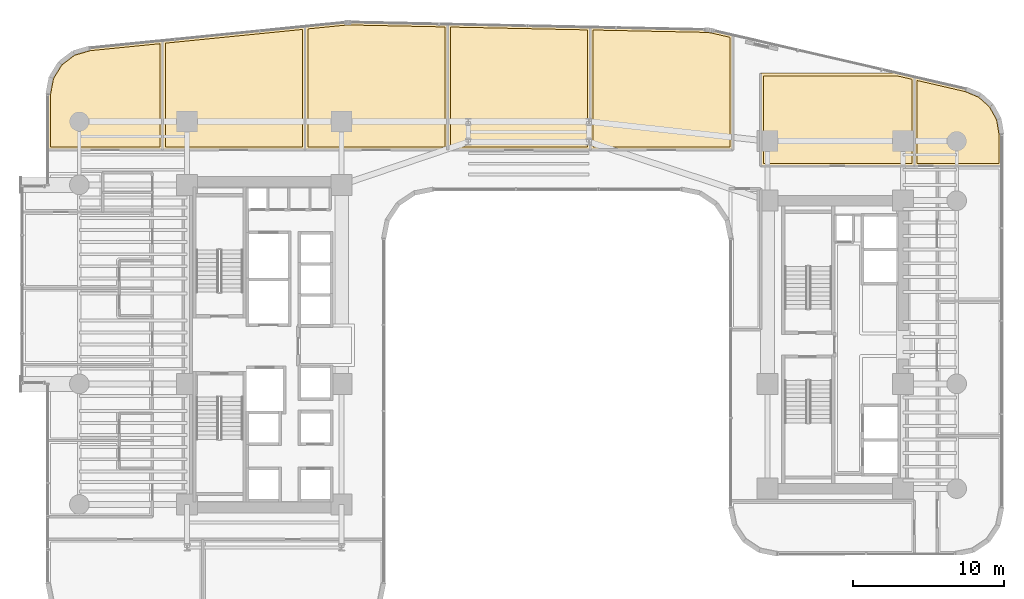
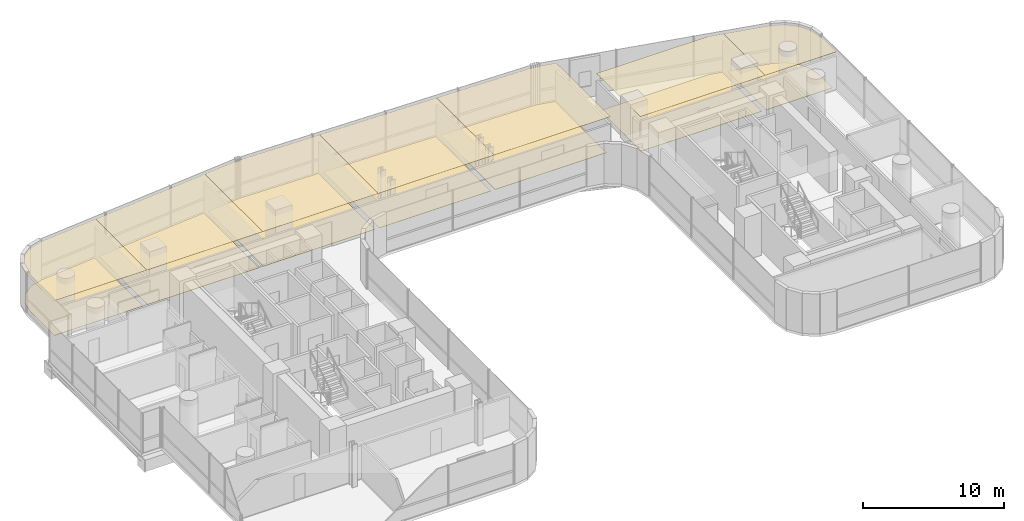
# One storey, part 39 of 39: 14 coverings.
"""IFC4 building model written with IfcOpenShell, lengths in metres."""

from ifc_helpers import new_model, si_unit, direction, frame, origin, place, context, subcontext, project, spatial, polyline, outline, extrude, material, layer, layer_set, type_object, element, save


model = new_model("IFC4")

# Units and contexts
model_context = context("Model", 3, precision=1e-05, world=origin(), true_north=direction((0.0, 1.0)))
body_context = subcontext(model_context, "Body", "Model", "MODEL_VIEW")
ifc_project = project(units=[si_unit("LENGTHUNIT", "METRE"), si_unit("AREAUNIT", "SQUARE_METRE"), si_unit("VOLUMEUNIT", "CUBIC_METRE"), si_unit("PLANEANGLEUNIT", "RADIAN"), si_unit("MASSUNIT", "GRAM", prefix="KILO")], contexts=[model_context])

# Site, building, storey
site_placement = place(None, origin())
site = spatial("IfcSite", under=ifc_project, at=site_placement, CompositionType="ELEMENT")
building_placement = place(site_placement, origin())
building = spatial("IfcBuilding", under=site, at=building_placement, Name="Valdorenza Pilgrim Sanctuary Tower", CompositionType="ELEMENT")
storey_placement = place(building_placement, frame((0.0, 0.0, 77.800048828125)))
storey = spatial("IfcBuildingStorey", under=building, at=storey_placement, Name="L19", CompositionType="ELEMENT", Elevation=77.800048828125)

# Coverings
ifc_material_1 = material(Name="Micro-perforated acoustic mineral ceiling tile", Category="gypsum")
ifc_layer_1 = layer(ifc_material_1, 0.02490234375, Name="Micro-perforated acoustic mineral ceiling tile")
ifc_layer_set_1 = layer_set([ifc_layer_1], Name="Micro-perforated acoustic mineral ceiling tile")
covering_type_1 = type_object("IfcCoveringType", Name="COV-CLG-ACU", PredefinedType="CEILING", material=ifc_layer_set_1)
covering_1_placement = place(storey_placement, frame((0.0, 0.0, 3.159912109375)))
element("IfcCovering", 1, at=covering_1_placement, inside=storey, type_object=covering_type_1, Name="L19 Theological Seminar Classroom L19-N1 Acoustic Ceiling", PredefinedType="CEILING", context=body_context, shape_type="SweptSolid", body=[
    extrude(outline(polyline([(-31.889892578125, 12.905029296875), (-31.8916015625, 12.905029296875), (-31.892822265625, 12.9052734375), (-31.894287109375, 12.905517578125), (-31.895751953125, 12.906005859375), (-31.897216796875, 12.90673828125), (-31.898193359375, 12.907470703125), (-31.8994140625, 12.908447265625), (-31.900634765625, 12.909423828125), (-31.901611328125, 12.910400390625), (-31.902587890625, 12.91162109375), (-31.9033203125, 12.912841796875), (-31.90380859375, 12.914306640625), (-31.904296875, 12.91552734375), (-31.90478515625, 12.9169921875), (-31.90478515625, 12.91845703125), (-31.905029296875, 12.919921875), (-31.905029296875, 16.593994140625), (-31.90478515625, 16.59521484375), (-31.90478515625, 16.5966796875), (-31.6962890625, 17.717041015625), (-31.696044921875, 17.718505859375), (-31.695556640625, 17.7197265625), (-31.695068359375, 17.720947265625), (-31.6943359375, 17.72216796875), (-31.102294921875, 18.68408203125), (-31.1015625, 18.685302734375), (-31.100830078125, 18.686279296875), (-31.099853515625, 18.687255859375), (-31.0986328125, 18.688232421875), (-30.20068359375, 19.372802734375), (-30.199462890625, 19.37353515625), (-30.1982421875, 19.374267578125), (-30.197021484375, 19.374755859375), (-30.19580078125, 19.375244140625), (-29.1015625, 19.694091796875), (-29.10009765625, 19.694580078125), (-29.098876953125, 19.694580078125), (-24.283447265625, 20.17626953125), (-24.281982421875, 20.17626953125), (-24.280517578125, 20.17626953125), (-24.279052734375, 20.176025390625), (-24.277587890625, 20.175537109375), (-24.2763671875, 20.175048828125), (-24.27490234375, 20.174560546875), (-24.273681640625, 20.173828125), (-24.2724609375, 20.1728515625), (-24.271484375, 20.171875), (-24.2705078125, 20.1708984375), (-24.26953125, 20.169677734375), (-24.268798828125, 20.16845703125), (-24.26806640625, 20.1669921875), (-24.267578125, 20.16552734375), (-24.267333984375, 20.164306640625), (-24.26708984375, 20.162841796875), (-24.26708984375, 20.161376953125), (-24.26708984375, 12.919921875), (-24.26708984375, 12.91845703125), (-24.267333984375, 12.9169921875), (-24.267578125, 12.91552734375), (-24.26806640625, 12.914306640625), (-24.268798828125, 12.912841796875), (-24.26953125, 12.91162109375), (-24.2705078125, 12.910400390625), (-24.271484375, 12.909423828125), (-24.2724609375, 12.908447265625), (-24.273681640625, 12.907470703125), (-24.27490234375, 12.90673828125), (-24.2763671875, 12.906005859375), (-24.277587890625, 12.905517578125), (-24.279052734375, 12.9052734375), (-24.280517578125, 12.905029296875), (-24.281982421875, 12.905029296875), (-31.889892578125, 12.905029296875)])), origin(), (0.0, 0.0, 1.0), 0.025146484375),
])
covering_2_placement = place(storey_placement, frame((0.0, 0.0, 3.159912109375)))
element("IfcCovering", 2, at=covering_2_placement, inside=storey, type_object=covering_type_1, Name="L19 Theological Seminar Classroom L19-N2 Acoustic Ceiling", PredefinedType="CEILING", context=body_context, shape_type="SweptSolid", body=[
    extrude(outline(polyline([(-24.294921875, 20.161376953125), (-24.294921875, 20.162353515625), (-24.294921875, 20.163818359375), (-24.29443359375, 20.165283203125), (-24.294189453125, 20.166748046875), (-24.29345703125, 20.168212890625), (-24.292724609375, 20.16943359375), (-24.291748046875, 20.170654296875), (-24.291015625, 20.171875), (-24.289794921875, 20.1728515625), (-24.28857421875, 20.173828125), (-24.287353515625, 20.174560546875), (-24.285888671875, 20.17529296875), (-24.284423828125, 20.17578125), (-24.282958984375, 20.17626953125), (-24.281494140625, 20.176513671875), (-14.825439453125, 21.1220703125), (-14.823974609375, 21.1220703125), (-14.822509765625, 21.1220703125), (-14.821044921875, 21.121826171875), (-14.819580078125, 21.121337890625), (-14.818359375, 21.120849609375), (-14.81689453125, 21.120361328125), (-14.815673828125, 21.119384765625), (-14.814453125, 21.11865234375), (-14.8134765625, 21.11767578125), (-14.8125, 21.11669921875), (-14.8115234375, 21.115478515625), (-14.810791015625, 21.114013671875), (-14.81005859375, 21.11279296875), (-14.8095703125, 21.111328125), (-14.809326171875, 21.110107421875), (-14.80908203125, 21.1083984375), (-14.80908203125, 21.107177734375), (-14.80908203125, 12.919921875), (-14.80908203125, 12.91845703125), (-14.809326171875, 12.9169921875), (-14.8095703125, 12.91552734375), (-14.81005859375, 12.914306640625), (-14.810791015625, 12.912841796875), (-14.8115234375, 12.91162109375), (-14.8125, 12.910400390625), (-14.8134765625, 12.909423828125), (-14.814453125, 12.908447265625), (-14.815673828125, 12.907470703125), (-14.81689453125, 12.90673828125), (-14.818359375, 12.906005859375), (-14.819580078125, 12.905517578125), (-14.821044921875, 12.9052734375), (-14.822509765625, 12.905029296875), (-14.823974609375, 12.905029296875), (-24.280029296875, 12.905029296875), (-24.281494140625, 12.905029296875), (-24.282958984375, 12.9052734375), (-24.284423828125, 12.905517578125), (-24.28564453125, 12.906005859375), (-24.287109375, 12.90673828125), (-24.288330078125, 12.907470703125), (-24.28955078125, 12.908447265625), (-24.29052734375, 12.909423828125), (-24.29150390625, 12.910400390625), (-24.29248046875, 12.91162109375), (-24.293212890625, 12.912841796875), (-24.2939453125, 12.914306640625), (-24.29443359375, 12.91552734375), (-24.294677734375, 12.9169921875), (-24.294921875, 12.91845703125), (-24.294921875, 12.919921875), (-24.294921875, 20.161376953125), (-24.294921875, 20.161376953125)])), origin(), (0.0, 0.0, 1.0), 0.025146484375),
])
covering_3_placement = place(storey_placement, frame((0.0, 0.0, 3.159912109375)))
element("IfcCovering", 3, at=covering_3_placement, inside=storey, type_object=covering_type_1, Name="L19 Theological Seminar Classroom L19-N3 Acoustic Ceiling", PredefinedType="CEILING", context=body_context, shape_type="SweptSolid", body=[
    extrude(outline(polyline([(-14.8369140625, 21.107177734375), (-14.8369140625, 21.108154296875), (-14.8369140625, 21.109619140625), (-14.83642578125, 21.111083984375), (-14.836181640625, 21.112548828125), (-14.83544921875, 21.114013671875), (-14.834716796875, 21.115234375), (-14.833740234375, 21.116455078125), (-14.8330078125, 21.11767578125), (-14.831787109375, 21.11865234375), (-14.83056640625, 21.11962890625), (-14.829345703125, 21.120361328125), (-14.827880859375, 21.12109375), (-14.826416015625, 21.12158203125), (-14.824951171875, 21.1220703125), (-14.823486328125, 21.122314453125), (-12.18359375, 21.38623046875), (-12.183349609375, 21.38623046875), (-12.089599609375, 21.39404296875), (-12.089111328125, 21.39404296875), (-11.996337890625, 21.399169921875), (-11.995849609375, 21.3994140625), (-11.902587890625, 21.401611328125), (-11.90234375, 21.401611328125), (-11.808349609375, 21.40087890625), (-11.80810546875, 21.40087890625), (-5.36572265625, 21.266845703125), (-5.3642578125, 21.2666015625), (-5.36279296875, 21.266357421875), (-5.361328125, 21.26611328125), (-5.360107421875, 21.265625), (-5.358642578125, 21.264892578125), (-5.357421875, 21.26416015625), (-5.356201171875, 21.26318359375), (-5.355224609375, 21.26220703125), (-5.354248046875, 21.26123046875), (-5.353515625, 21.260009765625), (-5.352783203125, 21.2587890625), (-5.35205078125, 21.257568359375), (-5.3515625, 21.256103515625), (-5.351318359375, 21.254638671875), (-5.35107421875, 21.253173828125), (-5.35107421875, 21.251708984375), (-5.35107421875, 12.919921875), (-5.35107421875, 12.91845703125), (-5.351318359375, 12.9169921875), (-5.3515625, 12.91552734375), (-5.35205078125, 12.914306640625), (-5.352783203125, 12.912841796875), (-5.353515625, 12.91162109375), (-5.3544921875, 12.910400390625), (-5.35546875, 12.909423828125), (-5.3564453125, 12.908447265625), (-5.357666015625, 12.907470703125), (-5.35888671875, 12.90673828125), (-5.3603515625, 12.906005859375), (-5.361572265625, 12.905517578125), (-5.363037109375, 12.9052734375), (-5.364501953125, 12.905029296875), (-5.365966796875, 12.905029296875), (-14.822021484375, 12.905029296875), (-14.823486328125, 12.905029296875), (-14.824951171875, 12.9052734375), (-14.826416015625, 12.905517578125), (-14.82763671875, 12.906005859375), (-14.8291015625, 12.90673828125), (-14.830322265625, 12.907470703125), (-14.83154296875, 12.908447265625), (-14.83251953125, 12.909423828125), (-14.83349609375, 12.910400390625), (-14.83447265625, 12.91162109375), (-14.835205078125, 12.912841796875), (-14.8359375, 12.914306640625), (-14.83642578125, 12.91552734375), (-14.836669921875, 12.9169921875), (-14.8369140625, 12.91845703125), (-14.8369140625, 12.919921875), (-14.8369140625, 21.107177734375), (-14.8369140625, 21.107177734375)])), origin(), (0.0, 0.0, 1.0), 0.025146484375),
])
covering_4_placement = place(storey_placement, frame((0.0, 0.0, 3.159912109375)))
element("IfcCovering", 4, at=covering_4_placement, inside=storey, type_object=covering_type_1, Name="L19 Theological Seminar Classroom L19-N4 Acoustic Ceiling", PredefinedType="CEILING", context=body_context, shape_type="SweptSolid", body=[
    extrude(outline(polyline([(-5.364013671875, 12.905029296875), (-5.365478515625, 12.905029296875), (-5.366943359375, 12.9052734375), (-5.368408203125, 12.905517578125), (-5.36962890625, 12.906005859375), (-5.37109375, 12.90673828125), (-5.372314453125, 12.907470703125), (-5.37353515625, 12.908447265625), (-5.37451171875, 12.909423828125), (-5.37548828125, 12.910400390625), (-5.37646484375, 12.91162109375), (-5.377197265625, 12.912841796875), (-5.3779296875, 12.914306640625), (-5.37841796875, 12.91552734375), (-5.378662109375, 12.9169921875), (-5.37890625, 12.91845703125), (-5.37890625, 12.919921875), (-5.37890625, 21.251708984375), (-5.37890625, 21.253173828125), (-5.378662109375, 21.254638671875), (-5.37841796875, 21.256103515625), (-5.377685546875, 21.257568359375), (-5.377197265625, 21.2587890625), (-5.37646484375, 21.26025390625), (-5.37548828125, 21.261474609375), (-5.37451171875, 21.262451171875), (-5.373291015625, 21.263427734375), (-5.372314453125, 21.264404296875), (-5.370849609375, 21.26513671875), (-5.369384765625, 21.265625), (-5.3681640625, 21.26611328125), (-5.36669921875, 21.2666015625), (-5.365234375, 21.2666015625), (-5.36376953125, 21.2666015625), (4.09228515625, 21.069580078125), (4.09375, 21.069580078125), (4.09521484375, 21.0693359375), (4.0966796875, 21.069091796875), (4.097900390625, 21.068603515625), (4.099365234375, 21.06787109375), (4.1005859375, 21.067138671875), (4.101806640625, 21.066162109375), (4.102783203125, 21.065185546875), (4.103759765625, 21.064208984375), (4.1044921875, 21.06298828125), (4.105224609375, 21.061767578125), (4.10595703125, 21.060302734375), (4.1064453125, 21.05908203125), (4.106689453125, 21.0576171875), (4.10693359375, 21.05615234375), (4.10693359375, 21.0546875), (4.10693359375, 12.919921875), (4.10693359375, 12.91845703125), (4.106689453125, 12.9169921875), (4.1064453125, 12.91552734375), (4.10595703125, 12.914306640625), (4.105224609375, 12.912841796875), (4.1044921875, 12.91162109375), (4.103515625, 12.910400390625), (4.1025390625, 12.909423828125), (4.1015625, 12.908447265625), (4.100341796875, 12.907470703125), (4.09912109375, 12.90673828125), (4.09765625, 12.906005859375), (4.096435546875, 12.905517578125), (4.094970703125, 12.9052734375), (4.093505859375, 12.905029296875), (4.092041015625, 12.905029296875), (-5.364013671875, 12.905029296875)])), origin(), (0.0, 0.0, 1.0), 0.025146484375),
])
covering_5_placement = place(storey_placement, frame((0.0, 0.0, 3.159912109375)))
element("IfcCovering", 5, at=covering_5_placement, inside=storey, type_object=covering_type_1, Name="L19 Theological Seminar Classroom L19-N5 Acoustic Ceiling", PredefinedType="CEILING", context=body_context, shape_type="SweptSolid", body=[
    extrude(outline(polyline([(4.093994140625, 12.905029296875), (4.092529296875, 12.905029296875), (4.091064453125, 12.9052734375), (4.089599609375, 12.905517578125), (4.08837890625, 12.906005859375), (4.0869140625, 12.90673828125), (4.085693359375, 12.907470703125), (4.08447265625, 12.908447265625), (4.08349609375, 12.909423828125), (4.08251953125, 12.910400390625), (4.08154296875, 12.91162109375), (4.080810546875, 12.912841796875), (4.080078125, 12.914306640625), (4.07958984375, 12.91552734375), (4.079345703125, 12.9169921875), (4.0791015625, 12.91845703125), (4.0791015625, 12.919921875), (4.0791015625, 21.0546875), (4.0791015625, 21.05615234375), (4.079345703125, 21.0576171875), (4.07958984375, 21.05908203125), (4.080078125, 21.060546875), (4.080810546875, 21.06201171875), (4.08154296875, 21.06298828125), (4.08251953125, 21.064208984375), (4.08349609375, 21.0654296875), (4.084716796875, 21.06640625), (4.085693359375, 21.0673828125), (4.087158203125, 21.068115234375), (4.08837890625, 21.068603515625), (4.08984375, 21.069091796875), (4.09130859375, 21.069580078125), (4.0927734375, 21.069580078125), (4.09423828125, 21.069580078125), (11.666015625, 20.912109375), (11.66650390625, 20.911865234375), (11.82666015625, 20.904296875), (11.827392578125, 20.904296875), (11.98583984375, 20.888916015625), (11.986572265625, 20.888671875), (12.143798828125, 20.864990234375), (12.14453125, 20.864990234375), (12.302001953125, 20.832763671875), (12.30224609375, 20.832763671875), (13.553466796875, 20.5439453125), (13.5546875, 20.543701171875), (13.55615234375, 20.543212890625), (13.557373046875, 20.54248046875), (13.55859375, 20.541748046875), (13.559814453125, 20.540771484375), (13.560791015625, 20.539794921875), (13.561767578125, 20.538818359375), (13.5625, 20.53759765625), (13.563232421875, 20.536376953125), (13.56396484375, 20.534912109375), (13.564453125, 20.53369140625), (13.564697265625, 20.5322265625), (13.56494140625, 20.53076171875), (13.56494140625, 20.529296875), (13.56494140625, 12.919921875), (13.56494140625, 12.91845703125), (13.564697265625, 12.9169921875), (13.564453125, 12.91552734375), (13.56396484375, 12.914306640625), (13.563232421875, 12.912841796875), (13.5625, 12.91162109375), (13.5615234375, 12.910400390625), (13.560546875, 12.909423828125), (13.5595703125, 12.908447265625), (13.558349609375, 12.907470703125), (13.55712890625, 12.90673828125), (13.5556640625, 12.906005859375), (13.554443359375, 12.905517578125), (13.552978515625, 12.9052734375), (13.551513671875, 12.905029296875), (13.550048828125, 12.905029296875), (4.093994140625, 12.905029296875)])), origin(), (0.0, 0.0, 1.0), 0.025146484375),
])
covering_6_placement = place(storey_placement, frame((0.0, 0.0, 3.159912109375)))
element("IfcCovering", 6, at=covering_6_placement, inside=storey, type_object=covering_type_1, Name="L19 Curator Research Office L19-BN1 Acoustic Ceiling", PredefinedType="CEILING", context=body_context, shape_type="SweptSolid", body=[
    extrude(outline(polyline([(15.39990234375, 11.8349609375), (15.3984375, 11.835205078125), (15.397216796875, 11.835205078125), (15.3955078125, 11.835693359375), (15.394287109375, 11.836181640625), (15.392822265625, 11.8369140625), (15.3916015625, 11.83740234375), (15.390380859375, 11.83837890625), (15.389404296875, 11.83935546875), (15.388427734375, 11.840576171875), (15.387451171875, 11.841796875), (15.38671875, 11.843017578125), (15.385986328125, 11.84423828125), (15.385498046875, 11.845703125), (15.38525390625, 11.84716796875), (15.385009765625, 11.848388671875), (15.385009765625, 11.85009765625), (15.385009765625, 18.0), (15.385009765625, 18.00146484375), (15.38525390625, 18.0029296875), (15.385498046875, 18.00439453125), (15.385986328125, 18.005615234375), (15.38671875, 18.007080078125), (15.387451171875, 18.00830078125), (15.388427734375, 18.009521484375), (15.389404296875, 18.010498046875), (15.390380859375, 18.01171875), (15.3916015625, 18.012451171875), (15.392822265625, 18.01318359375), (15.394287109375, 18.013916015625), (15.3955078125, 18.014404296875), (15.397216796875, 18.0146484375), (15.3984375, 18.014892578125), (15.39990234375, 18.014892578125), (24.5107421875, 18.014892578125), (24.512451171875, 18.014892578125), (24.51416015625, 18.0146484375), (25.603515625, 17.76318359375), (25.604736328125, 17.762939453125), (25.606201171875, 17.76220703125), (25.607421875, 17.76171875), (25.608642578125, 17.760986328125), (25.609619140625, 17.760009765625), (25.61083984375, 17.759033203125), (25.61181640625, 17.758056640625), (25.612548828125, 17.7568359375), (25.61328125, 17.755615234375), (25.614013671875, 17.75439453125), (25.614501953125, 17.7529296875), (25.61474609375, 17.75146484375), (25.614990234375, 17.75), (25.614990234375, 17.74853515625), (25.614990234375, 11.85009765625), (25.614990234375, 11.848388671875), (25.61474609375, 11.84716796875), (25.614501953125, 11.845703125), (25.614013671875, 11.84423828125), (25.61328125, 11.843017578125), (25.612548828125, 11.841796875), (25.611572265625, 11.840576171875), (25.610595703125, 11.83935546875), (25.609619140625, 11.83837890625), (25.6083984375, 11.83740234375), (25.607177734375, 11.8369140625), (25.605712890625, 11.836181640625), (25.6044921875, 11.835693359375), (25.602783203125, 11.835205078125), (25.6015625, 11.835205078125), (25.60009765625, 11.8349609375), (15.39990234375, 11.8349609375)])), origin(), (0.0, 0.0, 1.0), 0.025146484375),
])
covering_7_placement = place(storey_placement, frame((0.0, 0.0, 3.159912109375)))
element("IfcCovering", 7, at=covering_7_placement, inside=storey, type_object=covering_type_1, Name="L19 East Wing Reference Library L19-BNE Acoustic Ceiling", PredefinedType="CEILING", context=body_context, shape_type="SweptSolid", body=[
    extrude(outline(polyline([(28.9892578125, 16.98193359375), (28.990478515625, 16.981689453125), (28.99169921875, 16.981201171875), (29.95361328125, 16.580322265625), (29.955078125, 16.57958984375), (29.95654296875, 16.57861328125), (29.9580078125, 16.57763671875), (30.72705078125, 15.88818359375), (30.728271484375, 15.886962890625), (30.729248046875, 15.8857421875), (30.72998046875, 15.88427734375), (31.22900390625, 14.97998046875), (31.2294921875, 14.978271484375), (31.230224609375, 14.976806640625), (31.230712890625, 14.97509765625), (31.40478515625, 13.947509765625), (31.40478515625, 13.9462890625), (31.405029296875, 13.945068359375), (31.405029296875, 11.85009765625), (31.40478515625, 11.848388671875), (31.40478515625, 11.84716796875), (31.404296875, 11.845703125), (31.40380859375, 11.84423828125), (31.4033203125, 11.843017578125), (31.402587890625, 11.841796875), (31.401611328125, 11.840576171875), (31.400634765625, 11.83935546875), (31.3994140625, 11.83837890625), (31.398193359375, 11.83740234375), (31.397216796875, 11.8369140625), (31.395751953125, 11.836181640625), (31.394287109375, 11.835693359375), (31.392822265625, 11.835205078125), (31.3916015625, 11.835205078125), (31.389892578125, 11.8349609375), (25.60205078125, 11.8349609375), (25.6005859375, 11.835205078125), (25.59912109375, 11.835205078125), (25.59765625, 11.835693359375), (25.59619140625, 11.836181640625), (25.594970703125, 11.8369140625), (25.59375, 11.83740234375), (25.592529296875, 11.83837890625), (25.59130859375, 11.83935546875), (25.59033203125, 11.840576171875), (25.589599609375, 11.841796875), (25.5888671875, 11.843017578125), (25.588134765625, 11.84423828125), (25.587646484375, 11.845703125), (25.58740234375, 11.84716796875), (25.587158203125, 11.848388671875), (25.5869140625, 11.85009765625), (25.5869140625, 17.748291015625), (25.587158203125, 17.749755859375), (25.58740234375, 17.751220703125), (25.587646484375, 17.752685546875), (25.588134765625, 17.75390625), (25.5888671875, 17.75537109375), (25.589599609375, 17.756591796875), (25.590576171875, 17.7578125), (25.591552734375, 17.7587890625), (25.5927734375, 17.760009765625), (25.593994140625, 17.7607421875), (25.59521484375, 17.761474609375), (25.596435546875, 17.76220703125), (25.597900390625, 17.7626953125), (25.599365234375, 17.762939453125), (25.600830078125, 17.76318359375), (25.602294921875, 17.76318359375), (25.60400390625, 17.76318359375), (25.60546875, 17.7626953125), (28.9892578125, 16.98193359375)])), origin(), (0.0, 0.0, 1.0), 0.025146484375),
])
ifc_material_2 = material(Name="Engineered European oak timber flooring", Category="wood")
ifc_layer_2 = layer(ifc_material_2, 0.02197265625, Name="Engineered European oak timber flooring")
ifc_layer_set_2 = layer_set([ifc_layer_2], Name="Engineered European oak timber flooring")
covering_type_2 = type_object("IfcCoveringType", Name="COV-FLR-OAK", PredefinedType="FLOORING", material=ifc_layer_set_2)
covering_8_placement = place(storey_placement, origin())
element("IfcCovering", 8, at=covering_8_placement, inside=storey, type_object=covering_type_2, Name="L19 Theological Seminar Classroom L19-N1 Flooring", PredefinedType="FLOORING", context=body_context, shape_type="SweptSolid", body=[
    extrude(outline(polyline([(-31.7099609375, 13.10009765625), (-31.7099609375, 16.577392578125), (-31.5107421875, 17.6484375), (-30.953857421875, 18.553466796875), (-30.109130859375, 19.197509765625), (-29.06298828125, 19.502197265625), (-24.4619140625, 19.96240234375), (-24.4619140625, 13.10009765625), (-31.7099609375, 13.10009765625)])), origin(), (0.0, 0.0, 1.0), 0.02490234375),
])
covering_9_placement = place(storey_placement, origin())
element("IfcCovering", 9, at=covering_9_placement, inside=storey, type_object=covering_type_2, Name="L19 Theological Seminar Classroom L19-N2 Flooring", PredefinedType="FLOORING", context=body_context, shape_type="SweptSolid", body=[
    extrude(outline(polyline([(-24.10009765625, 13.10009765625), (-24.10009765625, 19.998291015625), (-15.00390625, 20.908203125), (-15.00390625, 13.10009765625), (-24.10009765625, 13.10009765625)])), origin(), (0.0, 0.0, 1.0), 0.02490234375),
])
covering_10_placement = place(storey_placement, origin())
element("IfcCovering", 10, at=covering_10_placement, inside=storey, type_object=covering_type_2, Name="L19 Theological Seminar Classroom L19-N3 Flooring", PredefinedType="FLOORING", context=body_context, shape_type="SweptSolid", body=[
    extrude(outline(polyline([(-14.64208984375, 13.10009765625), (-14.64208984375, 20.944091796875), (-12.16552734375, 21.19189453125), (-12.07568359375, 21.19970703125), (-11.98828125, 21.204345703125), (-11.900634765625, 21.20654296875), (-11.810791015625, 21.2060546875), (-5.5458984375, 21.075439453125), (-5.5458984375, 13.10009765625), (-14.64208984375, 13.10009765625)])), origin(), (0.0, 0.0, 1.0), 0.02490234375),
])
covering_11_placement = place(storey_placement, origin())
element("IfcCovering", 11, at=covering_11_placement, inside=storey, type_object=covering_type_2, Name="L19 Theological Seminar Classroom L19-N4 Flooring", PredefinedType="FLOORING", context=body_context, shape_type="SweptSolid", body=[
    extrude(outline(polyline([(-5.18408203125, 13.10009765625), (-5.18408203125, 21.068115234375), (3.912109375, 20.87841796875), (3.912109375, 13.10009765625), (-5.18408203125, 13.10009765625)])), origin(), (0.0, 0.0, 1.0), 0.02490234375),
])
covering_12_placement = place(storey_placement, origin())
element("IfcCovering", 12, at=covering_12_placement, inside=storey, type_object=covering_type_2, Name="L19 Theological Seminar Classroom L19-N5 Flooring", PredefinedType="FLOORING", context=body_context, shape_type="SweptSolid", body=[
    extrude(outline(polyline([(4.27392578125, 13.10009765625), (4.27392578125, 20.870849609375), (11.65966796875, 20.717041015625), (11.81298828125, 20.7099609375), (11.962158203125, 20.6953125), (12.110107421875, 20.6728515625), (12.2607421875, 20.64208984375), (13.3701171875, 20.38623046875), (13.3701171875, 13.10009765625), (4.27392578125, 13.10009765625)])), origin(), (0.0, 0.0, 1.0), 0.02490234375),
])
ifc_material_3 = material(Name="Honed travertine stone flooring", Category="masonry")
ifc_layer_3 = layer(ifc_material_3, 0.030029296875, Name="Honed travertine stone flooring")
ifc_layer_set_3 = layer_set([ifc_layer_3], Name="Honed travertine stone flooring")
covering_type_3 = type_object("IfcCoveringType", Name="COV-FLR-TRV", PredefinedType="FLOORING", material=ifc_layer_set_3)
covering_13_placement = place(storey_placement, origin())
element("IfcCovering", 13, at=covering_13_placement, inside=storey, type_object=covering_type_3, Name="L19 Curator Research Office L19-BN1 Flooring", PredefinedType="FLOORING", context=body_context, shape_type="SweptSolid", body=[
    extrude(outline(polyline([(15.580078125, 12.030029296875), (15.580078125, 17.820068359375), (24.490234375, 17.820068359375), (25.419921875, 17.60546875), (25.419921875, 12.030029296875), (15.580078125, 12.030029296875)])), origin(), (0.0, 0.0, 1.0), 0.02490234375),
])
covering_14_placement = place(storey_placement, origin())
element("IfcCovering", 14, at=covering_14_placement, inside=storey, type_object=covering_type_3, Name="L19 East Wing Reference Library L19-BNE Flooring", PredefinedType="FLOORING", context=body_context, shape_type="SweptSolid", body=[
    extrude(outline(polyline([(28.9306640625, 16.79541015625), (29.8505859375, 16.412109375), (30.57421875, 15.763427734375), (31.04345703125, 14.912353515625), (31.2099609375, 13.929931640625), (31.2099609375, 12.030029296875), (25.781982421875, 12.030029296875), (25.781982421875, 17.52197265625), (28.9306640625, 16.79541015625)])), origin(), (0.0, 0.0, 1.0), 0.02490234375),
])

save(model, "model.ifc")
